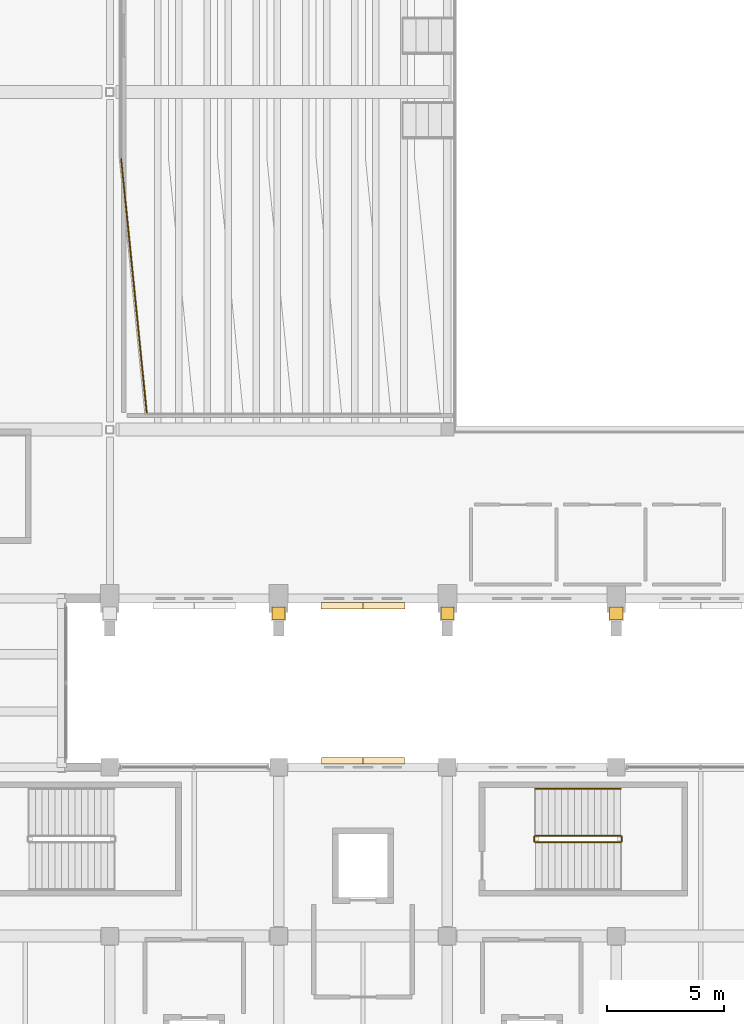
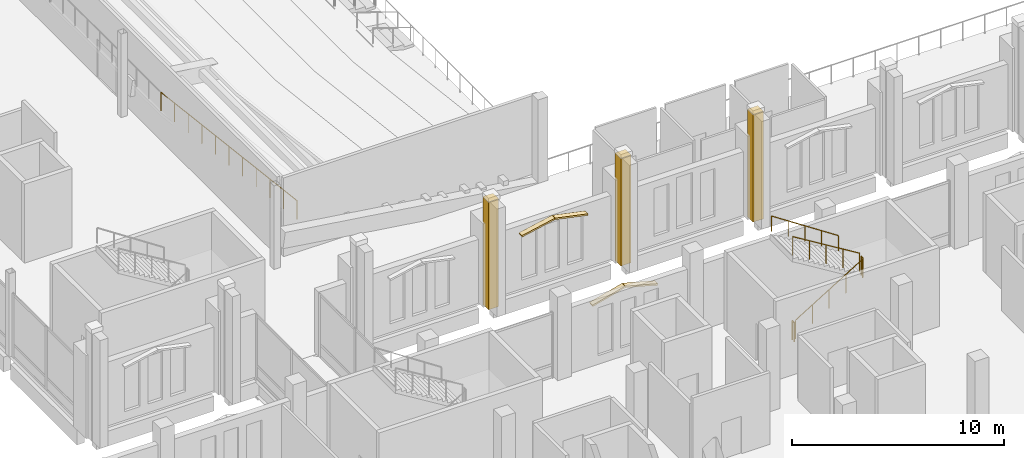
# One storey, part 183 of 193: 7 coverings, 6 railings.
"""IFC4 building model written with IfcOpenShell, lengths in metres."""

from ifc_helpers import new_model, si_unit, direction, frame, origin, origin_2d, place, context, subcontext, project, spatial, polyline, circle, outline, extrude, material, layer, layer_set, type_object, element, save


model = new_model("IFC4")

# Units and contexts
model_context = context("Model", 3, precision=1e-05, world=origin(), true_north=direction((0.0, 1.0)))
body_context = subcontext(model_context, "Body", "Model", "MODEL_VIEW")
ifc_project = project(units=[si_unit("LENGTHUNIT", "METRE"), si_unit("AREAUNIT", "SQUARE_METRE"), si_unit("VOLUMEUNIT", "CUBIC_METRE"), si_unit("PLANEANGLEUNIT", "RADIAN"), si_unit("MASSUNIT", "GRAM", prefix="KILO")], contexts=[model_context])

# Site, building, storey
site_placement = place(None, origin())
site = spatial("IfcSite", under=ifc_project, at=site_placement, CompositionType="ELEMENT")
building_placement = place(site_placement, origin())
building = spatial("IfcBuilding", under=site, at=building_placement, Name="Cendralis Lancet Convention Centre", CompositionType="ELEMENT")
storey_placement = place(building_placement, frame((0.0, 0.0, 10.199951171875)))
storey = spatial("IfcBuildingStorey", under=building, at=storey_placement, Name="L02", CompositionType="ELEMENT", Elevation=10.199951171875)

# Coverings
ifc_material_1 = material(Name="Warm buff sandstone chevron cassette", Category="masonry")
ifc_layer = layer(ifc_material_1, 0.06005859375, Name="Warm buff sandstone chevron cassette")
ifc_layer_set = layer_set([ifc_layer], Name="Warm buff sandstone chevron cassette")
covering_type = type_object("IfcCoveringType", Name="ARC-CV-CLAD1", PredefinedType="CLADDING", material=ifc_layer_set)
covering_1_placement = place(storey_placement, frame((166.199951171875, 42.75, 3.27001953125), z_axis=(0.205041599325, 0.0, 0.978753259277), x_axis=(0.0, 1.0, 0.0)))
element("IfcCovering", 1, at=covering_1_placement, inside=storey, type_object=covering_type, Name="L02 Gothic Pointed Lancet Hood-Mould #0139L", PredefinedType="CLADDING", context=body_context, shape_type="SweptSolid", body=[
    extrude(outline(polyline([(0.0, 0.0), (0.284912109375, 0.0), (0.284912109375, 1.8288971664027145), (0.0, 1.8288971664027145), (0.0, 0.0)])), origin(), (0.0, 0.0, -1.0), 0.090087890625),
])
covering_2_placement = place(storey_placement, frame((164.389892578125, 42.75, 3.64501953125), z_axis=(-0.205068392333, 0.0, 0.978747645957), x_axis=(0.0, 1.0, 0.0)))
element("IfcCovering", 2, at=covering_2_placement, inside=storey, type_object=covering_type, Name="L02 Gothic Pointed Lancet Hood-Mould #0140R", PredefinedType="CLADDING", context=body_context, shape_type="SweptSolid", body=[
    extrude(outline(polyline([(0.0, 0.0), (0.284912109375, 0.0), (0.284912109375, 1.8286582136554488), (0.0, 1.8286582136554488), (0.0, 0.0)])), origin(), (0.0, 0.0, -1.0), 0.090087890625),
])
covering_3_placement = place(storey_placement, origin())
element("IfcCovering", 3, at=covering_3_placement, inside=storey, type_object=covering_type, Name="Gothic Stepped Stone Buttress Shaft #0037", PredefinedType="CLADDING", context=body_context, shape_type="SweptSolid", body=[
    extrude(outline(polyline([(160.52001953125, 42.300048828125), (161.080078125, 42.300048828125), (161.080078125, 42.830078125), (160.52001953125, 42.830078125), (160.52001953125, 42.300048828125)])), origin(), (0.0, 0.0, 1.0), 6.199951171875),
])
covering_4_placement = place(storey_placement, origin())
element("IfcCovering", 4, at=covering_4_placement, inside=storey, type_object=covering_type, Name="Gothic Stepped Stone Buttress Shaft #0039", PredefinedType="CLADDING", context=body_context, shape_type="SweptSolid", body=[
    extrude(outline(polyline([(167.719970703125, 42.300048828125), (168.280029296875, 42.300048828125), (168.280029296875, 42.830078125), (167.719970703125, 42.830078125), (167.719970703125, 42.300048828125)])), origin(), (0.0, 0.0, 1.0), 6.199951171875),
])
covering_5_placement = place(storey_placement, origin())
element("IfcCovering", 5, at=covering_5_placement, inside=storey, type_object=covering_type, Name="Gothic Stepped Stone Buttress Shaft #0041", PredefinedType="CLADDING", context=body_context, shape_type="SweptSolid", body=[
    extrude(outline(polyline([(174.919921875, 42.300048828125), (175.47998046875, 42.300048828125), (175.47998046875, 42.830078125), (174.919921875, 42.830078125), (174.919921875, 42.300048828125)])), origin(), (0.0, 0.0, 1.0), 6.199951171875),
])
covering_6_placement = place(storey_placement, frame((162.6201171875, 36.419921875, 3.27001953125), z_axis=(-0.259271038082, 0.0, 0.965804601776), x_axis=(0.0, -1.0, 0.0)))
element("IfcCovering", 6, at=covering_6_placement, inside=storey, type_object=covering_type, Name="L02 Gothic Pointed Lancet Hood-Mould #0353L", PredefinedType="CLADDING", context=body_context, shape_type="SweptSolid", body=[
    extrude(outline(polyline([(0.0, 0.0), (0.284912109375, 0.0), (0.284912109375, 1.8324362789019741), (0.0, 1.8324362789019741), (0.0, 0.0)])), origin(), (0.0, 0.0, -1.0), 0.090087890625),
])
covering_7_placement = place(storey_placement, frame((164.409912109375, 36.419921875, 3.7451171875), z_axis=(0.259237680038, 0.0, 0.965813556153), x_axis=(0.0, -1.0, 0.0)))
element("IfcCovering", 7, at=covering_7_placement, inside=storey, type_object=covering_type, Name="L02 Gothic Pointed Lancet Hood-Mould #0354R", PredefinedType="CLADDING", context=body_context, shape_type="SweptSolid", body=[
    extrude(outline(polyline([(0.0, 0.0), (0.284912109375, 0.0), (0.284912109375, 1.8326720721342136), (0.0, 1.8326720721342136), (0.0, 0.0)])), origin(), (0.0, 0.0, -1.0), 0.090087890625),
])

# Railings
ifc_material_2 = material(Name="Steel S355", Category="steel")
railing_type_1 = type_object("IfcRailingType", Name="ARC-RL-CGD", PredefinedType="GUARDRAIL", material=ifc_material_2)
railing_1_placement = place(storey_placement, frame((171.75, 32.800048828125, 0.17138671875)))
element("IfcRailing", 8, at=railing_1_placement, inside=storey, type_object=railing_type_1, Name="L02 ST-14 stair guard 1", PredefinedType="GUARDRAIL", context=body_context, shape_type="SweptSolid", body=[
    extrude(circle(Radius=0.02392578125, at=origin_2d()), frame((0.0, 0.0, 1.076171875), z_axis=(0.852824790078, 0.0, 0.522197163366), x_axis=(0.0, 1.0, 0.0)), (0.0, 0.0, 1.0), 4.26806640625),
    extrude(circle(Radius=0.02099609375, at=origin_2d()), origin(), (0.0, 0.0, 1.0), 1.052001953125),
    extrude(circle(Radius=0.02099609375, at=origin_2d()), frame((0.909912109375, 0.0, 0.55712890625)), (0.0, 0.0, 1.0), 1.052001953125),
    extrude(circle(Radius=0.02099609375, at=origin_2d()), frame((1.81982421875, 0.0, 1.1142578125)), (0.0, 0.0, 1.0), 1.052001953125),
    extrude(circle(Radius=0.02099609375, at=origin_2d()), frame((2.72998046875, 0.0, 1.671630859375)), (0.0, 0.0, 1.0), 1.052001953125),
    extrude(circle(Radius=0.02099609375, at=origin_2d()), frame((3.639892578125, 0.0, 2.228759765625)), (0.0, 0.0, 1.0), 1.052001953125),
])
railing_2_placement = place(storey_placement, frame((175.43994140625, 32.85009765625, 2.400146484375)))
element("IfcRailing", 9, at=railing_2_placement, inside=storey, type_object=railing_type_1, Name="L02 ST-14 stair guard 2", PredefinedType="GUARDRAIL", context=body_context, shape_type="SweptSolid", body=[
    extrude(circle(Radius=0.02392578125, at=origin_2d()), frame((0.0, 0.0, 1.076171875), z_axis=(0.0, 1.0, 0.0), x_axis=(-1.0, 0.0, 0.0)), (0.0, 0.0, 1.0), 0.179931640625),
    extrude(circle(Radius=0.02099609375, at=origin_2d()), origin(), (0.0, 0.0, 1.0), 1.052001953125),
    extrude(circle(Radius=0.02099609375, at=origin_2d()), frame((0.0, 0.179931640625, 0.0)), (0.0, 0.0, 1.0), 1.052001953125),
])
railing_3_placement = place(storey_placement, frame((175.389892578125, 33.080078125, 2.571533203125)))
element("IfcRailing", 10, at=railing_3_placement, inside=storey, type_object=railing_type_1, Name="L02 ST-14 stair guard 3", PredefinedType="GUARDRAIL", context=body_context, shape_type="SweptSolid", body=[
    extrude(circle(Radius=0.02392578125, at=origin_2d()), frame((0.0, 0.0, 1.076171875), z_axis=(-0.852850264322, 0.0, 0.5221555579), x_axis=(0.0, -1.0, 0.0)), (0.0, 0.0, 1.0), 4.267822265625),
    extrude(circle(Radius=0.02099609375, at=origin_2d()), origin(), (0.0, 0.0, 1.0), 1.052001953125),
    extrude(circle(Radius=0.02099609375, at=origin_2d()), frame((-0.909912109375, 0.0, 0.55712890625)), (0.0, 0.0, 1.0), 1.052001953125),
    extrude(circle(Radius=0.02099609375, at=origin_2d()), frame((-1.81982421875, 0.0, 1.1142578125)), (0.0, 0.0, 1.0), 1.052001953125),
    extrude(circle(Radius=0.02099609375, at=origin_2d()), frame((-2.72998046875, 0.0, 1.67138671875)), (0.0, 0.0, 1.0), 1.052001953125),
    extrude(circle(Radius=0.02099609375, at=origin_2d()), frame((-3.639892578125, 0.0, 2.228515625)), (0.0, 0.0, 1.0), 1.052001953125),
])
railing_4_placement = place(storey_placement, frame((171.699951171875, 32.85009765625, 0.0)))
element("IfcRailing", 11, at=railing_4_placement, inside=storey, type_object=railing_type_1, Name="L02 ST-14 stair guard 4", PredefinedType="GUARDRAIL", context=body_context, shape_type="SweptSolid", body=[
    extrude(circle(Radius=0.02392578125, at=origin_2d()), frame((0.0, 0.0, 1.076171875), z_axis=(0.0, 1.0, 0.0), x_axis=(-1.0, 0.0, 0.0)), (0.0, 0.0, 1.0), 0.179931640625),
    extrude(circle(Radius=0.02099609375, at=origin_2d()), origin(), (0.0, 0.0, 1.0), 1.052001953125),
    extrude(circle(Radius=0.02099609375, at=origin_2d()), frame((0.0, 0.179931640625, 0.0)), (0.0, 0.0, 1.0), 1.052001953125),
])
railing_type_2 = type_object("IfcRailingType", Name="ARC-RL-CHR", PredefinedType="HANDRAIL", material=ifc_material_2)
railing_5_placement = place(storey_placement, frame((175.389892578125, 35.080078125, 2.571533203125)))
element("IfcRailing", 12, at=railing_5_placement, inside=storey, type_object=railing_type_2, Name="L02 ST-14 stair handrail 2", PredefinedType="HANDRAIL", context=body_context, shape_type="SweptSolid", body=[
    extrude(circle(Radius=0.02392578125, at=origin_2d()), frame((0.0, 0.0, 0.8759765625), z_axis=(-0.834865213223, 0.0, 0.550454426587), x_axis=(0.0, -1.0, 0.0)), (0.0, 0.0, 1.0), 4.35986328125),
    extrude(circle(Radius=0.02099609375, at=origin_2d()), origin(), (0.0, 0.0, 1.0), 0.851806640625),
    extrude(circle(Radius=0.02099609375, at=origin_2d()), frame((-0.909912109375, 0.0, 0.60009765625)), (0.0, 0.0, 1.0), 0.851806640625),
    extrude(circle(Radius=0.02099609375, at=origin_2d()), frame((-1.81982421875, 0.0, 1.199951171875)), (0.0, 0.0, 1.0), 0.851806640625),
    extrude(circle(Radius=0.02099609375, at=origin_2d()), frame((-2.72998046875, 0.0, 1.7998046875)), (0.0, 0.0, 1.0), 0.851806640625),
    extrude(circle(Radius=0.02099609375, at=origin_2d()), frame((-3.639892578125, 0.0, 2.39990234375)), (0.0, 0.0, 1.0), 0.851806640625),
])
railing_type_3 = type_object("IfcRailingType", Name="ARC-RL-IG01", PredefinedType="GUARDRAIL", material=ifc_material_2)
railing_6_placement = place(storey_placement, frame((155.179931640625, 51.080078125, 1.75)))
element("IfcRailing", 13, at=railing_6_placement, inside=storey, type_object=railing_type_3, Name="Plenary Upper Stand Rear Crowd Guardrail #062", PredefinedType="GUARDRAIL", context=body_context, shape_type="SweptSolid", body=[
    extrude(circle(Radius=0.02392578125, at=origin_2d()), frame((0.0, 0.0, 1.076171875), z_axis=(-0.100212884832, 0.994966018371, 0.0), x_axis=(-0.994966018371, -0.100212884832, 0.0)), (0.0, 0.0, 1.0), 10.97509765625),
    extrude(circle(Radius=0.02099609375, at=origin_2d()), origin(), (0.0, 0.0, 1.0), 1.052001953125),
    extrude(circle(Radius=0.02099609375, at=origin_2d()), frame((-0.10986328125, 1.092041015625, 0.0)), (0.0, 0.0, 1.0), 1.052001953125),
    extrude(circle(Radius=0.02099609375, at=origin_2d()), frame((-0.219970703125, 2.18408203125, 0.0)), (0.0, 0.0, 1.0), 1.052001953125),
    extrude(circle(Radius=0.02099609375, at=origin_2d()), frame((-0.330078125, 3.27587890625, 0.0)), (0.0, 0.0, 1.0), 1.052001953125),
    extrude(circle(Radius=0.02099609375, at=origin_2d()), frame((-0.43994140625, 4.367919921875, 0.0)), (0.0, 0.0, 1.0), 1.052001953125),
    extrude(circle(Radius=0.02099609375, at=origin_2d()), frame((-0.5498046875, 5.4599609375, 0.0)), (0.0, 0.0, 1.0), 1.052001953125),
    extrude(circle(Radius=0.02099609375, at=origin_2d()), frame((-0.659912109375, 6.552001953125, 0.0)), (0.0, 0.0, 1.0), 1.052001953125),
    extrude(circle(Radius=0.02099609375, at=origin_2d()), frame((-0.77001953125, 7.64404296875, 0.0)), (0.0, 0.0, 1.0), 1.052001953125),
    extrude(circle(Radius=0.02099609375, at=origin_2d()), frame((-0.8798828125, 8.73583984375, 0.0)), (0.0, 0.0, 1.0), 1.052001953125),
    extrude(circle(Radius=0.02099609375, at=origin_2d()), frame((-0.98974609375, 9.827880859375, 0.0)), (0.0, 0.0, 1.0), 1.052001953125),
    extrude(circle(Radius=0.02099609375, at=origin_2d()), frame((-1.099853515625, 10.919921875, 0.0)), (0.0, 0.0, 1.0), 1.052001953125),
])

save(model, "model.ifc")
